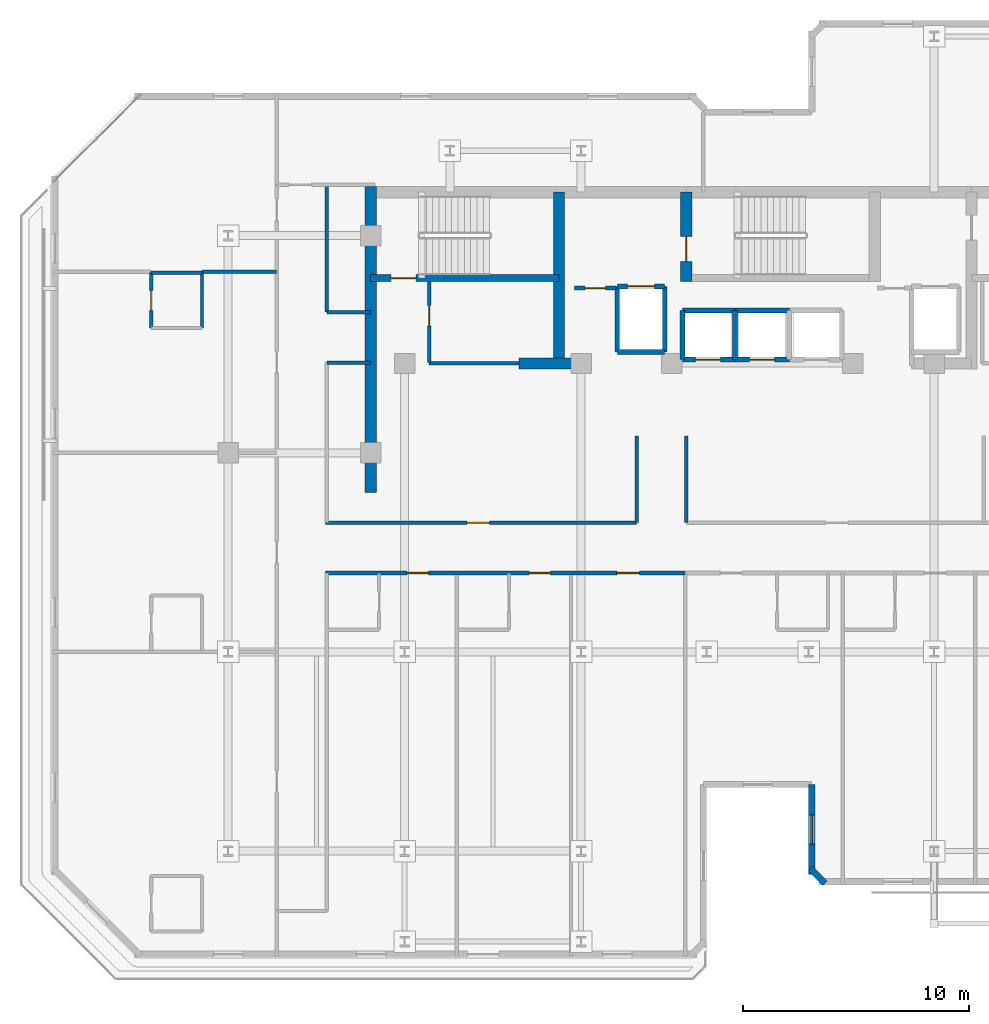
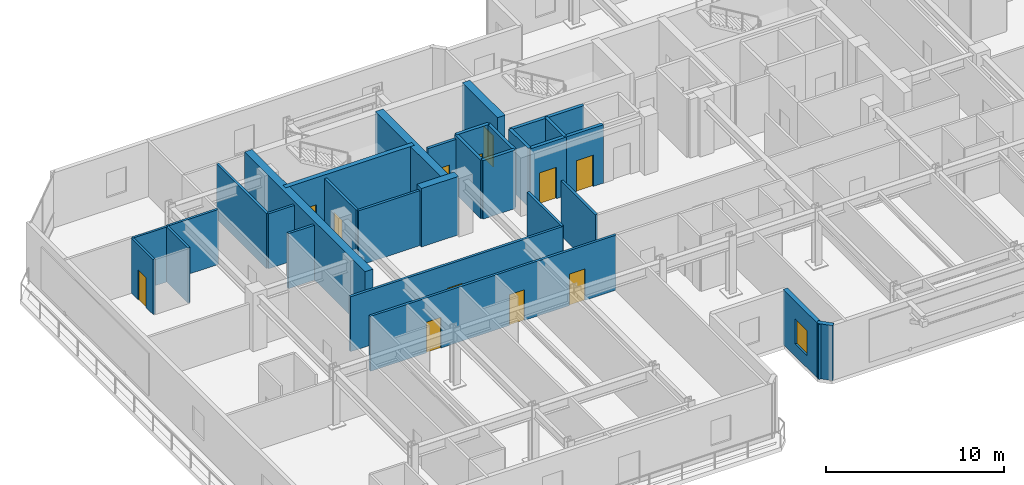
# One storey, part 5 of 13: 31 walls, 12 doors, 1 window, 13 openings.
"""IFC4 building model written with IfcOpenShell, lengths in metres."""

from ifc_helpers import new_model, si_unit, direction, frame, frame_2d, origin, place, context, subcontext, project, spatial, rectangle, extrude, material, layer, layer_set, type_object, element, fill, save


model = new_model("IFC4")

# Units and contexts
model_context = context("Model", 3, precision=1e-05, world=origin(), true_north=direction((0.0, 1.0)))
body_context = subcontext(model_context, "Body", "Model", "MODEL_VIEW")
ifc_project = project(units=[si_unit("LENGTHUNIT", "METRE"), si_unit("AREAUNIT", "SQUARE_METRE"), si_unit("VOLUMEUNIT", "CUBIC_METRE"), si_unit("PLANEANGLEUNIT", "RADIAN"), si_unit("MASSUNIT", "GRAM", prefix="KILO")], contexts=[model_context])

# Site, building, storey
site_placement = place(None, origin())
site = spatial("IfcSite", under=ifc_project, at=site_placement, CompositionType="ELEMENT")
building_placement = place(site_placement, origin())
building = spatial("IfcBuilding", under=site, at=building_placement, Name="Kestravale Grand Hotel", CompositionType="ELEMENT")
storey_placement = place(building_placement, frame((0.0, 0.0, 245.39990234375)))
storey = spatial("IfcBuildingStorey", under=building, at=storey_placement, Name="L61", CompositionType="ELEMENT", Elevation=245.39990234375)

# Walls
ifc_material_1 = material(Name="Concrete f'c 50 MPa", Category="concrete")
ifc_layer_1 = layer(ifc_material_1, 0.5)
ifc_layer_set_1 = layer_set([ifc_layer_1], Name="EW-CORE-500")
wall_type_1 = type_object("IfcWallType", Name="EW-CORE-500", PredefinedType="SHEAR", material=ifc_layer_set_1)
wall_1_placement = place(storey_placement, frame((21.89990234375, 27.050048828125, 0.0), z_axis=(0.0, 0.0, 1.0), x_axis=(0.0, 1.0, 0.0)))
element("IfcWall", 1, at=wall_1_placement, inside=storey, type_object=wall_type_1, Name="L61 core shear wall W1", PredefinedType="SHEAR", context=body_context, shape_type="SweptSolid", body=[
    extrude(rectangle(XDim=13.52001953125, YDim=0.5, at=frame_2d((6.760009765625, 0.0))), origin(), (0.0, 0.0, 1.0), 4.0),
])
wall_2_placement = place(storey_placement, frame((28.449951171875, 32.75, 0.0), z_axis=(0.0, 0.0, 1.0), x_axis=(1.0, 0.0, 0.0)))
element("IfcWall", 2, at=wall_2_placement, inside=storey, type_object=wall_type_1, Name="L61 core shear wall S1", PredefinedType="SHEAR", context=body_context, shape_type="SweptSolid", body=[
    extrude(rectangle(XDim=2.400146484375, YDim=0.5, at=frame_2d((1.2001953125, 0.0))), origin(), (0.0, 0.0, 1.0), 4.0),
])
wall_3_placement = place(storey_placement, frame((30.219970703125, 33.0, 0.0), z_axis=(0.0, 0.0, 1.0), x_axis=(0.0, 1.0, 0.0)))
element("IfcWall", 3, at=wall_3_placement, inside=storey, type_object=wall_type_1, Name="L61 core shear wall X1", PredefinedType="SHEAR", context=body_context, shape_type="SweptSolid", body=[
    extrude(rectangle(XDim=7.320068359375, YDim=0.5, at=frame_2d((3.66015625, 0.0))), origin(), (0.0, 0.0, 1.0), 4.0),
])

# Wall, opening, door
wall_4_placement = place(storey_placement, frame((35.85009765625, 36.3701171875, 0.0), z_axis=(0.0, 0.0, 1.0), x_axis=(0.0, 1.0, 0.0)))
wall_4 = element("IfcWall", 4, at=wall_4_placement, inside=storey, type_object=wall_type_1, Name="L61 core shear wall X2", PredefinedType="SHEAR", context=body_context, shape_type="SweptSolid", body=[
    extrude(rectangle(XDim=3.949951171875, YDim=0.5, at=frame_2d((1.97509765625, 0.0))), origin(), (0.0, 0.0, 1.0), 4.0),
])
opening_1_placement = place(wall_4_placement, frame((0.8798828125, 0.0, 0.0)))
opening_1 = element("IfcOpeningElement", 5, at=opening_1_placement, cuts=wall_4, Name="Opening D-ST-1100", PredefinedType="OPENING", context=body_context, shape_type="SweptSolid", body=[
    extrude(rectangle(XDim=1.10009765625, YDim=2.14990234375, at=frame_2d((0.550048828125, 1.074951171875))), frame((0.0, 0.260009765625, 0.0), z_axis=(0.0, -1.0, 0.0), x_axis=(1.0, 0.0, 0.0)), (0.0, 0.0, 1.0), 0.52001953125),
])
ifc_material_2 = material(Name="Galvanised 90-minute fire-rated steel stair door", Category="steel")
door_type_1 = type_object("IfcDoorType", Name="D-ST-1100", OperationType="NOTDEFINED", PredefinedType="DOOR", material=ifc_material_2)
door_1_placement = place(opening_1_placement, origin())
door_1 = element("IfcDoor", 6, at=door_1_placement, inside=storey, type_object=door_type_1, Name="L61 Stair ST-2 FSAE fire door", OperationType="SINGLE_SWING_RIGHT", OverallHeight=2.14990234375, OverallWidth=1.10009765625, PredefinedType="DOOR", context=body_context, shape_type="SweptSolid", body=[
    extrude(rectangle(XDim=1.10009765625, YDim=2.14990234375, at=frame_2d((0.550048828125, 1.074951171875))), frame((0.0, 0.02490234375, 0.0), z_axis=(0.0, -1.0, 0.0), x_axis=(1.0, 0.0, 0.0)), (0.0, 0.0, 1.0), 0.050048828125),
])
fill(opening_1, door_1)

# Wall, opening, window
ifc_material_3 = material(Name="Precast concrete f'c 45 MPa", Category="concrete")
ifc_layer_2 = layer(ifc_material_3, 0.280029296875)
ifc_layer_set_2 = layer_set([ifc_layer_2], Name="EW-PREC-280")
wall_type_2 = type_object("IfcWallType", Name="EW-PREC-280", PredefinedType="SOLIDWALL", material=ifc_layer_set_2)
wall_5_placement = place(storey_placement, frame((41.389892578125, 14.139892578125, 0.0), z_axis=(0.0, 0.0, 1.0), x_axis=(0.0, -1.0, 0.0)))
wall_5 = element("IfcWall", 7, at=wall_5_placement, inside=storey, type_object=wall_type_2, Name="L61 fluted precast facade wall 5", PredefinedType="SOLIDWALL", context=body_context, shape_type="SweptSolid", body=[
    extrude(rectangle(XDim=3.97998046875, YDim=0.280029296875, at=frame_2d((1.989990234375, 0.0))), origin(), (0.0, 0.0, 1.0), 3.760009765625),
])
opening_2_placement = place(wall_5_placement, frame((1.340087890625, 0.0, 0.85009765625)))
opening_2 = element("IfcOpeningElement", 8, at=opening_2_placement, cuts=wall_5, Name="Opening W-GUEST-1300", PredefinedType="OPENING", context=body_context, shape_type="SweptSolid", body=[
    extrude(rectangle(XDim=1.300048828125, YDim=1.699951171875, at=frame_2d((0.64990234375, 0.85009765625))), frame((0.0, 0.14990234375, 0.0), z_axis=(0.0, -1.0, 0.0), x_axis=(1.0, 0.0, 0.0)), (0.0, 0.0, 1.0), 0.300048828125),
])
ifc_material_4 = material(Name="Insulated low-E double glazing in aluminium frame", Category="aluminium")
window_type = type_object("IfcWindowType", Name="W-GUEST-1300", PartitioningType="SINGLE_PANEL", PredefinedType="WINDOW", material=ifc_material_4)
window_placement = place(opening_2_placement, origin())
window = element("IfcWindow", 9, at=window_placement, inside=storey, type_object=window_type, Name="L61 exterior window 5.1", OverallHeight=1.699951171875, OverallWidth=1.300048828125, PartitioningType="SINGLE_PANEL", PredefinedType="WINDOW", context=body_context, shape_type="SweptSolid", body=[
    extrude(rectangle(XDim=1.300048828125, YDim=1.699951171875, at=frame_2d((0.64990234375, 0.85009765625))), frame((0.0, 0.030029296875, 0.0), z_axis=(0.0, -1.0, 0.0), x_axis=(1.0, 0.0, 0.0)), (0.0, 0.0, 1.0), 0.06005859375),
])
fill(opening_2, window)

# Wall
wall_6_placement = place(storey_placement, frame((41.32080078125, 10.42724609375, 0.0), z_axis=(0.0, 0.0, 1.0), x_axis=(0.707106781187, -0.707106781187, 0.0)))
element("IfcWall", 10, at=wall_6_placement, inside=storey, type_object=wall_type_2, Name="L61 fluted precast facade wall 6", PredefinedType="SOLIDWALL", context=body_context, shape_type="SweptSolid", body=[
    extrude(rectangle(XDim=0.928466796875, YDim=0.280029296875, at=frame_2d((0.46435546875, 0.0))), origin(), (0.0, 0.0, 1.0), 3.760009765625),
])

# Wall, opening, door
ifc_material_5 = material(Name="Concrete f'c 45 MPa", Category="concrete")
ifc_layer_3 = layer(ifc_material_5, 0.300048828125)
ifc_layer_set_3 = layer_set([ifc_layer_3], Name="EW-STAIR-300")
wall_type_3 = type_object("IfcWallType", Name="EW-STAIR-300", PredefinedType="SHEAR", material=ifc_layer_set_3)
wall_7_placement = place(storey_placement, frame((21.89990234375, 36.52001953125, 0.0), z_axis=(0.0, 0.0, 1.0), x_axis=(1.0, 0.0, 0.0)))
wall_7 = element("IfcWall", 11, at=wall_7_placement, inside=storey, type_object=wall_type_3, Name="L61 stair enclosure shear wall SST1", PredefinedType="SHEAR", context=body_context, shape_type="SweptSolid", body=[
    extrude(rectangle(XDim=8.320068359375, YDim=0.300048828125, at=frame_2d((4.16015625, 0.0))), origin(), (0.0, 0.0, 1.0), 4.0),
])
opening_3_placement = place(wall_7_placement, frame((0.89990234375, 0.0, 0.0)))
opening_3 = element("IfcOpeningElement", 12, at=opening_3_placement, cuts=wall_7, Name="Opening D-ST-1100", PredefinedType="OPENING", context=body_context, shape_type="SweptSolid", body=[
    extrude(rectangle(XDim=1.10009765625, YDim=2.14990234375, at=frame_2d((0.550048828125, 1.074951171875))), frame((0.0, 0.159912109375, 0.0), z_axis=(0.0, -1.0, 0.0), x_axis=(1.0, 0.0, 0.0)), (0.0, 0.0, 1.0), 0.320068359375),
])
door_2_placement = place(opening_3_placement, origin())
door_2 = element("IfcDoor", 13, at=door_2_placement, inside=storey, type_object=door_type_1, Name="L61 Stair ST-1 fire door", OperationType="SINGLE_SWING_RIGHT", OverallHeight=2.14990234375, OverallWidth=1.10009765625, PredefinedType="DOOR", context=body_context, shape_type="SweptSolid", body=[
    extrude(rectangle(XDim=1.10009765625, YDim=2.14990234375, at=frame_2d((0.550048828125, 1.074951171875))), frame((0.0, 0.02490234375, 0.0), z_axis=(0.0, -1.0, 0.0), x_axis=(1.0, 0.0, 0.0)), (0.0, 0.0, 1.0), 0.050048828125),
])
fill(opening_3, door_2)

ifc_material_6 = material(Name="Acoustic fire-rated gypsum board partition", Category="other")
ifc_layer_4 = layer(ifc_material_6, 0.159912109375)
ifc_layer_set_4 = layer_set([ifc_layer_4], Name="IW-CORR-160")
wall_type_4 = type_object("IfcWallType", Name="IW-CORR-160", PredefinedType="PARTITIONING", material=ifc_layer_set_4)
wall_8_placement = place(storey_placement, frame((24.47998046875, 32.800048828125, 0.0), z_axis=(0.0, 0.0, 1.0), x_axis=(0.0, 1.0, 0.0)))
wall_8 = element("IfcWall", 14, at=wall_8_placement, inside=storey, type_object=wall_type_4, Name="L61 west core vestibule wall", PredefinedType="PARTITIONING", context=body_context, shape_type="SweptSolid", body=[
    extrude(rectangle(XDim=3.570068359375, YDim=0.159912109375, at=frame_2d((1.78515625, 0.0))), origin(), (0.0, 0.0, 1.0), 3.760009765625),
])
opening_4_placement = place(wall_8_placement, frame((1.603515625, 0.0, 0.0)))
opening_4 = element("IfcOpeningElement", 15, at=opening_4_placement, cuts=wall_8, Name="Opening D-SH-900", PredefinedType="OPENING", context=body_context, shape_type="SweptSolid", body=[
    extrude(rectangle(XDim=0.89990234375, YDim=2.10009765625, at=frame_2d((0.449951171875, 1.050048828125))), frame((0.0, 0.08984375, 0.0), z_axis=(0.0, -1.0, 0.0), x_axis=(1.0, 0.0, 0.0)), (0.0, 0.0, 1.0), 0.179931640625),
])
ifc_material_7 = material(Name="Galvanised 90-minute shaft and service fire door", Category="steel")
door_type_2 = type_object("IfcDoorType", Name="D-SH-900", OperationType="NOTDEFINED", PredefinedType="DOOR", material=ifc_material_7)
door_3_placement = place(opening_4_placement, origin())
door_3 = element("IfcDoor", 16, at=door_3_placement, inside=storey, type_object=door_type_2, Name="D-L61-HK", OperationType="SINGLE_SWING_RIGHT", OverallHeight=2.10009765625, OverallWidth=0.89990234375, PredefinedType="DOOR", context=body_context, shape_type="SweptSolid", body=[
    extrude(rectangle(XDim=0.89990234375, YDim=2.10009765625, at=frame_2d((0.449951171875, 1.050048828125))), frame((0.0, 0.02490234375, 0.0), z_axis=(0.0, -1.0, 0.0), x_axis=(1.0, 0.0, 0.0)), (0.0, 0.0, 1.0), 0.050048828125),
])
fill(opening_4, door_3)

# Wall
wall_9_placement = place(storey_placement, frame((24.47998046875, 32.75, 0.0), z_axis=(0.0, 0.0, 1.0), x_axis=(1.0, 0.0, 0.0)))
element("IfcWall", 17, at=wall_9_placement, inside=storey, type_object=wall_type_4, Name="W-L61-CWS", PredefinedType="PARTITIONING", context=body_context, shape_type="SweptSolid", body=[
    extrude(rectangle(XDim=3.969970703125, YDim=0.159912109375, at=frame_2d((1.98486328125, 0.0))), origin(), (0.0, 0.0, 1.0), 3.760009765625),
])

# Wall, opening, door
wall_10_placement = place(storey_placement, frame((19.89990234375, 25.7099609375, 0.0), z_axis=(0.0, 0.0, 1.0), x_axis=(1.0, 0.0, 0.0)))
wall_10 = element("IfcWall", 18, at=wall_10_placement, inside=storey, type_object=wall_type_4, Name="W-L61-CW-N", PredefinedType="PARTITIONING", context=body_context, shape_type="SweptSolid", body=[
    extrude(rectangle(XDim=13.75, YDim=0.159912109375, at=frame_2d((6.875, 0.0))), origin(), (0.0, 0.0, 1.0), 3.760009765625),
])
opening_5_placement = place(wall_10_placement, frame((6.25, 0.0, 0.0)))
opening_5 = element("IfcOpeningElement", 19, at=opening_5_placement, cuts=wall_10, Name="Opening D-GUEST-1000", PredefinedType="OPENING", context=body_context, shape_type="SweptSolid", body=[
    extrude(rectangle(XDim=1.0, YDim=2.14990234375, at=frame_2d((0.5, 1.074951171875))), frame((0.0, 0.08984375, 0.0), z_axis=(0.0, -1.0, 0.0), x_axis=(1.0, 0.0, 0.0)), (0.0, 0.0, 1.0), 0.179931640625),
])
ifc_material_8 = material(Name="Accessible walnut veneer hotel entrance fire door", Category="wood")
door_type_3 = type_object("IfcDoorType", Name="D-GUEST-1000", OperationType="NOTDEFINED", PredefinedType="DOOR", material=ifc_material_8)
door_4_placement = place(opening_5_placement, origin())
door_4 = element("IfcDoor", 20, at=door_4_placement, inside=storey, type_object=door_type_3, Name="D-L61-RECL-W", OperationType="SINGLE_SWING_RIGHT", OverallHeight=2.14990234375, OverallWidth=1.0, PredefinedType="DOOR", context=body_context, shape_type="SweptSolid", body=[
    extrude(rectangle(XDim=1.0, YDim=2.14990234375, at=frame_2d((0.5, 1.074951171875))), frame((0.0, 0.02490234375, 0.0), z_axis=(0.0, -1.0, 0.0), x_axis=(1.0, 0.0, 0.0)), (0.0, 0.0, 1.0), 0.050048828125),
])
fill(opening_5, door_4)

# Walls
for number, where, z_axis, x_axis, name in (
    (21, (33.64990234375, 25.7099609375, 0.0), (0.0, 0.0, 1.0), (0.0, 1.0, 0.0), "W-L61-TRUNK-W"),
    (22, (35.85009765625, 25.7099609375, 0.0), (0.0, 0.0, 1.0), (0.0, 1.0, 0.0), "W-L61-TRUNK-E"),
):
    element("IfcWall", number, at=place(storey_placement, frame(where, z_axis=z_axis, x_axis=x_axis)), inside=storey, type_object=wall_type_4, Name=name, PredefinedType="PARTITIONING", context=body_context, shape_type="SweptSolid", body=[
        extrude(rectangle(XDim=3.840087890625, YDim=0.159912109375, at=frame_2d((1.919921875, 0.0))), origin(), (0.0, 0.0, 1.0), 3.760009765625),
    ])

# Wall, openings, doors
wall_11_placement = place(storey_placement, frame((19.89990234375, 23.489990234375, 0.0), z_axis=(0.0, 0.0, 1.0), x_axis=(1.0, 0.0, 0.0)))
wall_11 = element("IfcWall", 23, at=wall_11_placement, inside=storey, type_object=wall_type_4, Name="W-L61-CW-S", PredefinedType="PARTITIONING", context=body_context, shape_type="SweptSolid", body=[
    extrude(rectangle(XDim=15.900146484375, YDim=0.159912109375, at=frame_2d((7.9501953125, 0.0))), origin(), (0.0, 0.0, 1.0), 3.760009765625),
])
opening_6_placement = place(wall_11_placement, frame((3.610107421875, 0.0, 0.0)))
opening_6 = element("IfcOpeningElement", 24, at=opening_6_placement, cuts=wall_11, Name="Opening D-GUEST-950", PredefinedType="OPENING", context=body_context, shape_type="SweptSolid", body=[
    extrude(rectangle(XDim=0.949951171875, YDim=2.10009765625, at=frame_2d((0.47509765625, 1.050048828125))), frame((0.0, 0.08984375, 0.0), z_axis=(0.0, -1.0, 0.0), x_axis=(1.0, 0.0, 0.0)), (0.0, 0.0, 1.0), 0.179931640625),
])
opening_7_placement = place(wall_11_placement, frame((9.0048828125, 0.0, 0.0)))
opening_7 = element("IfcOpeningElement", 25, at=opening_7_placement, cuts=wall_11, Name="Opening D-GUEST-950", PredefinedType="OPENING", context=body_context, shape_type="SweptSolid", body=[
    extrude(rectangle(XDim=0.949951171875, YDim=2.10009765625, at=frame_2d((0.47509765625, 1.050048828125))), frame((0.0, 0.08984375, 0.0), z_axis=(0.0, -1.0, 0.0), x_axis=(1.0, 0.0, 0.0)), (0.0, 0.0, 1.0), 0.179931640625),
])
opening_8_placement = place(wall_11_placement, frame((12.875, 0.0, 0.0)))
opening_8 = element("IfcOpeningElement", 26, at=opening_8_placement, cuts=wall_11, Name="Opening D-GUEST-1000", PredefinedType="OPENING", context=body_context, shape_type="SweptSolid", body=[
    extrude(rectangle(XDim=1.0, YDim=2.14990234375, at=frame_2d((0.5, 1.074951171875))), frame((0.0, 0.08984375, 0.0), z_axis=(0.0, -1.0, 0.0), x_axis=(1.0, 0.0, 0.0)), (0.0, 0.0, 1.0), 0.179931640625),
])
door_5_placement = place(opening_8_placement, origin())
door_5 = element("IfcDoor", 27, at=door_5_placement, inside=storey, type_object=door_type_3, Name="D-L61-AMW", OperationType="SINGLE_SWING_LEFT", OverallHeight=2.14990234375, OverallWidth=1.0, PredefinedType="DOOR", context=body_context, shape_type="SweptSolid", body=[
    extrude(rectangle(XDim=1.0, YDim=2.14990234375, at=frame_2d((0.5, 1.074951171875))), frame((0.0, 0.02490234375, 0.0), z_axis=(0.0, -1.0, 0.0), x_axis=(1.0, 0.0, 0.0)), (0.0, 0.0, 1.0), 0.050048828125),
])
fill(opening_8, door_5)
ifc_material_9 = material(Name="Walnut veneer hotel guestroom entrance fire door", Category="wood")
door_type_4 = type_object("IfcDoorType", Name="D-GUEST-950", OperationType="NOTDEFINED", PredefinedType="DOOR", material=ifc_material_9)
door_6_placement = place(opening_6_placement, origin())
door_6 = element("IfcDoor", 28, at=door_6_placement, inside=storey, type_object=door_type_4, Name="D-L61-U01-ENT", OperationType="SINGLE_SWING_RIGHT", OverallHeight=2.10009765625, OverallWidth=0.949951171875, PredefinedType="DOOR", context=body_context, shape_type="SweptSolid", body=[
    extrude(rectangle(XDim=0.949951171875, YDim=2.10009765625, at=frame_2d((0.47509765625, 1.050048828125))), frame((0.0, 0.02490234375, 0.0), z_axis=(0.0, -1.0, 0.0), x_axis=(1.0, 0.0, 0.0)), (0.0, 0.0, 1.0), 0.050048828125),
])
fill(opening_6, door_6)
door_7_placement = place(opening_7_placement, origin())
door_7 = element("IfcDoor", 29, at=door_7_placement, inside=storey, type_object=door_type_4, Name="D-L61-U02-ENT", OperationType="SINGLE_SWING_RIGHT", OverallHeight=2.10009765625, OverallWidth=0.949951171875, PredefinedType="DOOR", context=body_context, shape_type="SweptSolid", body=[
    extrude(rectangle(XDim=0.949951171875, YDim=2.10009765625, at=frame_2d((0.47509765625, 1.050048828125))), frame((0.0, 0.02490234375, 0.0), z_axis=(0.0, -1.0, 0.0), x_axis=(1.0, 0.0, 0.0)), (0.0, 0.0, 1.0), 0.050048828125),
])
fill(opening_7, door_7)

# Walls
wall_12_placement = place(storey_placement, frame((19.9599609375, 35.02001953125, 0.0), z_axis=(0.0, 0.0, 1.0), x_axis=(0.0, 1.0, 0.0)))
element("IfcWall", 30, at=wall_12_placement, inside=storey, type_object=wall_type_4, Name="W-L61-SW-EN", PredefinedType="PARTITIONING", context=body_context, shape_type="SweptSolid", body=[
    extrude(rectangle(XDim=5.6298828125, YDim=0.159912109375, at=frame_2d((2.81494140625, 0.0))), origin(), (0.0, 0.0, 1.0), 3.760009765625),
])
for number, where, z_axis, x_axis, name in (
    (31, (19.9599609375, 35.02001953125, 0.0), (0.0, 0.0, 1.0), (1.0, 0.0, 0.0), "W-L61-SW-CN"),
    (32, (19.9599609375, 32.780029296875, 0.0), (0.0, 0.0, 1.0), (1.0, 0.0, 0.0), "W-L61-SW-CS"),
):
    element("IfcWall", number, at=place(storey_placement, frame(where, z_axis=z_axis, x_axis=x_axis)), inside=storey, type_object=wall_type_4, Name=name, PredefinedType="PARTITIONING", context=body_context, shape_type="SweptSolid", body=[
        extrude(rectangle(XDim=1.93994140625, YDim=0.159912109375, at=frame_2d((0.969970703125, 0.0))), origin(), (0.0, 0.0, 1.0), 3.760009765625),
    ])

# Wall, opening, door
ifc_material_10 = material(Name="Fire-rated gypsum board on steel studs with mineral wool", Category="steel")
ifc_layer_5 = layer(ifc_material_10, 0.179931640625)
ifc_layer_set_5 = layer_set([ifc_layer_5], Name="IW-FSAE-180")
wall_type_5 = type_object("IfcWallType", Name="IW-FSAE-180", PredefinedType="PARTITIONING", material=ifc_layer_set_5)
wall_13_placement = place(storey_placement, frame((30.89990234375, 36.080078125, 0.0), z_axis=(0.0, 0.0, 1.0), x_axis=(1.0, 0.0, 0.0)))
wall_13 = element("IfcWall", 33, at=wall_13_placement, inside=storey, type_object=wall_type_5, Name="L61 FSAE Lobby 1 smoke barrier", PredefinedType="PARTITIONING", context=body_context, shape_type="SweptSolid", body=[
    extrude(rectangle(XDim=1.85009765625, YDim=0.179931640625, at=frame_2d((0.925048828125, 0.0))), origin(), (0.0, 0.0, 1.0), 3.760009765625),
])
opening_9_placement = place(wall_13_placement, frame((0.47998046875, 0.0, 0.0)))
opening_9 = element("IfcOpeningElement", 34, at=opening_9_placement, cuts=wall_13, Name="Opening D-FSAE-1000", PredefinedType="OPENING", context=body_context, shape_type="SweptSolid", body=[
    extrude(rectangle(XDim=0.89990234375, YDim=2.14990234375, at=frame_2d((0.449951171875, 1.074951171875))), frame((0.0, 0.099853515625, 0.0), z_axis=(0.0, -1.0, 0.0), x_axis=(1.0, 0.0, 0.0)), (0.0, 0.0, 1.0), 0.199951171875),
])
ifc_material_11 = material(Name="Smoke-gasketed FSAE lobby fire door", Category="steel")
door_type_5 = type_object("IfcDoorType", Name="D-FSAE-1000", OperationType="NOTDEFINED", PredefinedType="DOOR", material=ifc_material_11)
door_8_placement = place(opening_9_placement, origin())
door_8 = element("IfcDoor", 35, at=door_8_placement, inside=storey, type_object=door_type_5, Name="L61 FSAE Lobby 1 fire door", OperationType="SINGLE_SWING_RIGHT", OverallHeight=2.14990234375, OverallWidth=0.89990234375, PredefinedType="DOOR", context=body_context, shape_type="SweptSolid", body=[
    extrude(rectangle(XDim=0.89990234375, YDim=2.14990234375, at=frame_2d((0.449951171875, 1.074951171875))), frame((0.0, 0.02490234375, 0.0), z_axis=(0.0, -1.0, 0.0), x_axis=(1.0, 0.0, 0.0)), (0.0, 0.0, 1.0), 0.050048828125),
])
fill(opening_9, door_8)

ifc_material_12 = material(Name="Moisture-resistant tile-backer plumbing chase wall", Category="other")
ifc_layer_6 = layer(ifc_material_12, 0.139892578125)
ifc_layer_set_6 = layer_set([ifc_layer_6], Name="IW-PLB-140")
wall_type_6 = type_object("IfcWallType", Name="IW-PLB-140", PredefinedType="PLUMBINGWALL", material=ifc_layer_set_6)
wall_14_placement = place(storey_placement, frame((12.199951171875, 34.31005859375, 0.0), z_axis=(0.0, 0.0, 1.0), x_axis=(0.0, 1.0, 0.0)))
wall_14 = element("IfcWall", 36, at=wall_14_placement, inside=storey, type_object=wall_type_6, Name="W-L61-U08-BW", PredefinedType="PLUMBINGWALL", context=body_context, shape_type="SweptSolid", body=[
    extrude(rectangle(XDim=2.449951171875, YDim=0.139892578125, at=frame_2d((1.22509765625, 0.0))), origin(), (0.0, 0.0, 1.0), 3.760009765625),
])
opening_10_placement = place(wall_14_placement, frame((0.784912109375, 0.0, 0.0)))
opening_10 = element("IfcOpeningElement", 37, at=opening_10_placement, cuts=wall_14, Name="Opening D-BATH-880", PredefinedType="OPENING", context=body_context, shape_type="SweptSolid", body=[
    extrude(rectangle(XDim=0.8798828125, YDim=2.050048828125, at=frame_2d((0.43994140625, 1.02490234375))), frame((0.0, 0.079833984375, 0.0), z_axis=(0.0, -1.0, 0.0), x_axis=(1.0, 0.0, 0.0)), (0.0, 0.0, 1.0), 0.159912109375),
])
ifc_material_13 = material(Name="Moisture-sealed walnut en-suite bathroom door", Category="wood")
door_type_6 = type_object("IfcDoorType", Name="D-BATH-880", OperationType="NOTDEFINED", PredefinedType="DOOR", material=ifc_material_13)
door_9_placement = place(opening_10_placement, origin())
door_9 = element("IfcDoor", 38, at=door_9_placement, inside=storey, type_object=door_type_6, Name="D-L61-U08-BATH", OperationType="SINGLE_SWING_LEFT", OverallHeight=2.050048828125, OverallWidth=0.8798828125, PredefinedType="DOOR", context=body_context, shape_type="SweptSolid", body=[
    extrude(rectangle(XDim=0.8798828125, YDim=2.050048828125, at=frame_2d((0.43994140625, 1.02490234375))), frame((0.0, 0.02490234375, 0.0), z_axis=(0.0, -1.0, 0.0), x_axis=(1.0, 0.0, 0.0)), (0.0, 0.0, 1.0), 0.050048828125),
])
fill(opening_10, door_9)

# Walls
wall_15_placement = place(storey_placement, frame((14.449951171875, 34.31005859375, 0.0), z_axis=(0.0, 0.0, 1.0), x_axis=(0.0, 1.0, 0.0)))
element("IfcWall", 39, at=wall_15_placement, inside=storey, type_object=wall_type_6, Name="W-L61-U08-BE", PredefinedType="PLUMBINGWALL", context=body_context, shape_type="SweptSolid", body=[
    extrude(rectangle(XDim=2.449951171875, YDim=0.139892578125, at=frame_2d((1.22509765625, 0.0))), origin(), (0.0, 0.0, 1.0), 3.760009765625),
])
wall_16_placement = place(storey_placement, frame((12.199951171875, 36.760009765625, 0.0), z_axis=(0.0, 0.0, 1.0), x_axis=(1.0, 0.0, 0.0)))
element("IfcWall", 40, at=wall_16_placement, inside=storey, type_object=wall_type_6, Name="W-L61-U08-BN", PredefinedType="PLUMBINGWALL", context=body_context, shape_type="SweptSolid", body=[
    extrude(rectangle(XDim=2.25, YDim=0.139892578125, at=frame_2d((1.125, 0.0))), origin(), (0.0, 0.0, 1.0), 3.760009765625),
])
ifc_material_14 = material(Name="Concrete f'c 45 MPa", Category="concrete")
ifc_layer_7 = layer(ifc_material_14, 0.199951171875)
ifc_layer_set_7 = layer_set([ifc_layer_7], Name="IW-SHAFT-200")
wall_type_7 = type_object("IfcWallType", Name="IW-SHAFT-200", PredefinedType="SHEAR", material=ifc_layer_set_7)
for number, where, z_axis, x_axis, name in (
    (41, (35.679931640625, 32.919921875, 0.0), (0.0, 0.0, 1.0), (0.0, 1.0, 0.0), "L61 PL-X1 west shaft wall"),
    (42, (38.0, 32.919921875, 0.0), (0.0, 0.0, 1.0), (0.0, 1.0, 0.0), "L61 PL-X2 west shaft wall"),
):
    element("IfcWall", number, at=place(storey_placement, frame(where, z_axis=z_axis, x_axis=x_axis)), inside=storey, type_object=wall_type_7, Name=name, PredefinedType="SHEAR", context=body_context, shape_type="SweptSolid", body=[
        extrude(rectangle(XDim=2.16015625, YDim=0.199951171875, at=frame_2d((1.080078125, 0.0))), origin(), (0.0, 0.0, 1.0), 4.0),
    ])
for number, where, z_axis, x_axis, name in (
    (43, (32.804931640625, 33.2451171875, 0.0), (0.0, 0.0, 1.0), (0.0, 1.0, 0.0), "L61 FL-1 west shaft wall"),
    (44, (34.89501953125, 33.2451171875, 0.0), (0.0, 0.0, 1.0), (0.0, 1.0, 0.0), "L61 FL-1 east shaft wall"),
):
    element("IfcWall", number, at=place(storey_placement, frame(where, z_axis=z_axis, x_axis=x_axis)), inside=storey, type_object=wall_type_7, Name=name, PredefinedType="SHEAR", context=body_context, shape_type="SweptSolid", body=[
        extrude(rectangle(XDim=2.909912109375, YDim=0.199951171875, at=frame_2d((1.455078125, 0.0))), origin(), (0.0, 0.0, 1.0), 4.0),
    ])
ifc_material_15 = material(Name="Concrete f'c 45 MPa", Category="concrete")
ifc_layer_8 = layer(ifc_material_15, 0.219970703125)
ifc_layer_set_8 = layer_set([ifc_layer_8], Name="IW-SHAFT-220")
wall_type_8 = type_object("IfcWallType", Name="IW-SHAFT-220", PredefinedType="SHEAR", material=ifc_layer_set_8)
wall_17_placement = place(storey_placement, frame((35.679931640625, 35.080078125, 0.0), z_axis=(0.0, 0.0, 1.0), x_axis=(1.0, 0.0, 0.0)))
element("IfcWall", 45, at=wall_17_placement, inside=storey, type_object=wall_type_8, Name="L61 PL-X1 north shaft wall", PredefinedType="SHEAR", context=body_context, shape_type="SweptSolid", body=[
    extrude(rectangle(XDim=2.320068359375, YDim=0.219970703125, at=frame_2d((1.16015625, 0.0))), origin(), (0.0, 0.0, 1.0), 4.0),
])

# Wall, opening, door
wall_18_placement = place(storey_placement, frame((35.679931640625, 32.919921875, 0.0), z_axis=(0.0, 0.0, 1.0), x_axis=(1.0, 0.0, 0.0)))
wall_18 = element("IfcWall", 46, at=wall_18_placement, inside=storey, type_object=wall_type_8, Name="L61 PL-X1 south shaft wall", PredefinedType="SHEAR", context=body_context, shape_type="SweptSolid", body=[
    extrude(rectangle(XDim=2.320068359375, YDim=0.219970703125, at=frame_2d((1.16015625, 0.0))), origin(), (0.0, 0.0, 1.0), 4.0),
])
opening_11_placement = place(wall_18_placement, frame((0.570068359375, 0.0, 0.0)))
opening_11 = element("IfcOpeningElement", 47, at=opening_11_placement, cuts=wall_18, Name="Opening LD-PAX-1100", PredefinedType="OPENING", context=body_context, shape_type="SweptSolid", body=[
    extrude(rectangle(XDim=1.10009765625, YDim=2.14990234375, at=frame_2d((0.550048828125, 1.074951171875))), frame((0.0, 0.119873046875, 0.0), z_axis=(0.0, -1.0, 0.0), x_axis=(1.0, 0.0, 0.0)), (0.0, 0.0, 1.0), 0.239990234375),
])
ifc_material_16 = material(Name="Champagne-bronze center-opening sliding elevator landing door", Category="steel")
door_type_7 = type_object("IfcDoorType", Name="LD-PAX-1100", OperationType="NOTDEFINED", PredefinedType="DOOR", material=ifc_material_16)
door_10_placement = place(opening_11_placement, origin())
door_10 = element("IfcDoor", 48, at=door_10_placement, inside=storey, type_object=door_type_7, Name="L61 PL-X1 elevator landing sliding door", OperationType="DOUBLE_DOOR_SLIDING", OverallHeight=2.14990234375, OverallWidth=1.10009765625, PredefinedType="DOOR", context=body_context, shape_type="SweptSolid", body=[
    extrude(rectangle(XDim=1.10009765625, YDim=2.14990234375, at=frame_2d((0.550048828125, 1.074951171875))), frame((0.0, 0.02490234375, 0.0), z_axis=(0.0, -1.0, 0.0), x_axis=(1.0, 0.0, 0.0)), (0.0, 0.0, 1.0), 0.050048828125),
])
fill(opening_11, door_10)

# Wall
wall_19_placement = place(storey_placement, frame((38.0, 35.080078125, 0.0), z_axis=(0.0, 0.0, 1.0), x_axis=(1.0, 0.0, 0.0)))
element("IfcWall", 49, at=wall_19_placement, inside=storey, type_object=wall_type_8, Name="L61 PL-X2 north shaft wall", PredefinedType="SHEAR", context=body_context, shape_type="SweptSolid", body=[
    extrude(rectangle(XDim=2.39990234375, YDim=0.219970703125, at=frame_2d((1.199951171875, 0.0))), origin(), (0.0, 0.0, 1.0), 4.0),
])

# Wall, opening, door
wall_20_placement = place(storey_placement, frame((38.0, 32.919921875, 0.0), z_axis=(0.0, 0.0, 1.0), x_axis=(1.0, 0.0, 0.0)))
wall_20 = element("IfcWall", 50, at=wall_20_placement, inside=storey, type_object=wall_type_8, Name="L61 PL-X2 south shaft wall", PredefinedType="SHEAR", context=body_context, shape_type="SweptSolid", body=[
    extrude(rectangle(XDim=2.39990234375, YDim=0.219970703125, at=frame_2d((1.199951171875, 0.0))), origin(), (0.0, 0.0, 1.0), 4.0),
])
opening_12_placement = place(wall_20_placement, frame((0.64990234375, 0.0, 0.0)))
opening_12 = element("IfcOpeningElement", 51, at=opening_12_placement, cuts=wall_20, Name="Opening LD-PAX-1100", PredefinedType="OPENING", context=body_context, shape_type="SweptSolid", body=[
    extrude(rectangle(XDim=1.10009765625, YDim=2.14990234375, at=frame_2d((0.550048828125, 1.074951171875))), frame((0.0, 0.119873046875, 0.0), z_axis=(0.0, -1.0, 0.0), x_axis=(1.0, 0.0, 0.0)), (0.0, 0.0, 1.0), 0.239990234375),
])
door_11_placement = place(opening_12_placement, origin())
door_11 = element("IfcDoor", 52, at=door_11_placement, inside=storey, type_object=door_type_7, Name="L61 PL-X2 elevator landing sliding door", OperationType="DOUBLE_DOOR_SLIDING", OverallHeight=2.14990234375, OverallWidth=1.10009765625, PredefinedType="DOOR", context=body_context, shape_type="SweptSolid", body=[
    extrude(rectangle(XDim=1.10009765625, YDim=2.14990234375, at=frame_2d((0.550048828125, 1.074951171875))), frame((0.0, 0.02490234375, 0.0), z_axis=(0.0, -1.0, 0.0), x_axis=(1.0, 0.0, 0.0)), (0.0, 0.0, 1.0), 0.050048828125),
])
fill(opening_12, door_11)

wall_21_placement = place(storey_placement, frame((32.804931640625, 36.155029296875, 0.0), z_axis=(0.0, 0.0, 1.0), x_axis=(1.0, 0.0, 0.0)))
wall_21 = element("IfcWall", 53, at=wall_21_placement, inside=storey, type_object=wall_type_8, Name="L61 FL-1 north shaft wall", PredefinedType="SHEAR", context=body_context, shape_type="SweptSolid", body=[
    extrude(rectangle(XDim=2.090087890625, YDim=0.219970703125, at=frame_2d((1.044921875, 0.0))), origin(), (0.0, 0.0, 1.0), 4.0),
])
opening_13_placement = place(wall_21_placement, frame((0.445068359375, 0.0, 0.0)))
opening_13 = element("IfcOpeningElement", 54, at=opening_13_placement, cuts=wall_21, Name="Opening LD-FSAE-1200", PredefinedType="OPENING", context=body_context, shape_type="SweptSolid", body=[
    extrude(rectangle(XDim=1.199951171875, YDim=2.14990234375, at=frame_2d((0.60009765625, 1.074951171875))), frame((0.0, 0.119873046875, 0.0), z_axis=(0.0, -1.0, 0.0), x_axis=(1.0, 0.0, 0.0)), (0.0, 0.0, 1.0), 0.239990234375),
])
ifc_material_17 = material(Name="Stainless fire-service sliding elevator landing door", Category="steel")
door_type_8 = type_object("IfcDoorType", Name="LD-FSAE-1200", OperationType="NOTDEFINED", PredefinedType="DOOR", material=ifc_material_17)
door_12_placement = place(opening_13_placement, origin())
door_12 = element("IfcDoor", 55, at=door_12_placement, inside=storey, type_object=door_type_8, Name="L61 FL-1 elevator landing sliding door", OperationType="DOUBLE_DOOR_SLIDING", OverallHeight=2.14990234375, OverallWidth=1.199951171875, PredefinedType="DOOR", context=body_context, shape_type="SweptSolid", body=[
    extrude(rectangle(XDim=1.199951171875, YDim=2.14990234375, at=frame_2d((0.60009765625, 1.074951171875))), frame((0.0, 0.02490234375, 0.0), z_axis=(0.0, -1.0, 0.0), x_axis=(1.0, 0.0, 0.0)), (0.0, 0.0, 1.0), 0.050048828125),
])
fill(opening_13, door_12)

# Walls
wall_22_placement = place(storey_placement, frame((32.804931640625, 33.2451171875, 0.0), z_axis=(0.0, 0.0, 1.0), x_axis=(1.0, 0.0, 0.0)))
element("IfcWall", 56, at=wall_22_placement, inside=storey, type_object=wall_type_8, Name="L61 FL-1 south shaft wall", PredefinedType="SHEAR", context=body_context, shape_type="SweptSolid", body=[
    extrude(rectangle(XDim=2.090087890625, YDim=0.219970703125, at=frame_2d((1.044921875, 0.0))), origin(), (0.0, 0.0, 1.0), 4.0),
])
ifc_material_18 = material(Name="Double-stud STC 52 acoustic demising partition", Category="other")
ifc_layer_9 = layer(ifc_material_18, 0.14990234375)
ifc_layer_set_9 = layer_set([ifc_layer_9], Name="IW-UNIT-150")
wall_type_9 = type_object("IfcWallType", Name="IW-UNIT-150", PredefinedType="PARTITIONING", material=ifc_layer_set_9)
wall_23_placement = place(storey_placement, frame((14.449951171875, 36.800048828125, 0.0), z_axis=(0.0, 0.0, 1.0), x_axis=(1.0, 0.0, 0.0)))
element("IfcWall", 57, at=wall_23_placement, inside=storey, type_object=wall_type_9, Name="W-L61-WW-3", PredefinedType="PARTITIONING", context=body_context, shape_type="SweptSolid", body=[
    extrude(rectangle(XDim=3.2900390625, YDim=0.14990234375, at=frame_2d((1.64501953125, 0.0))), origin(), (0.0, 0.0, 1.0), 3.760009765625),
])

save(model, "model.ifc")
